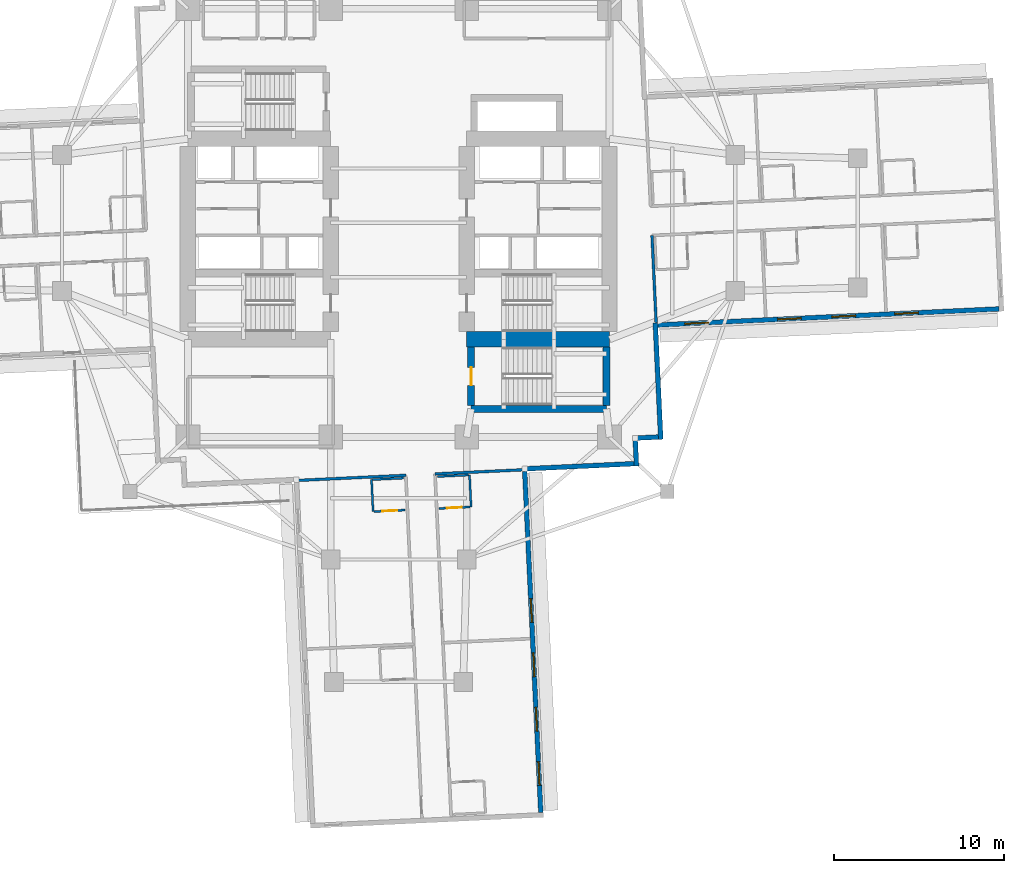
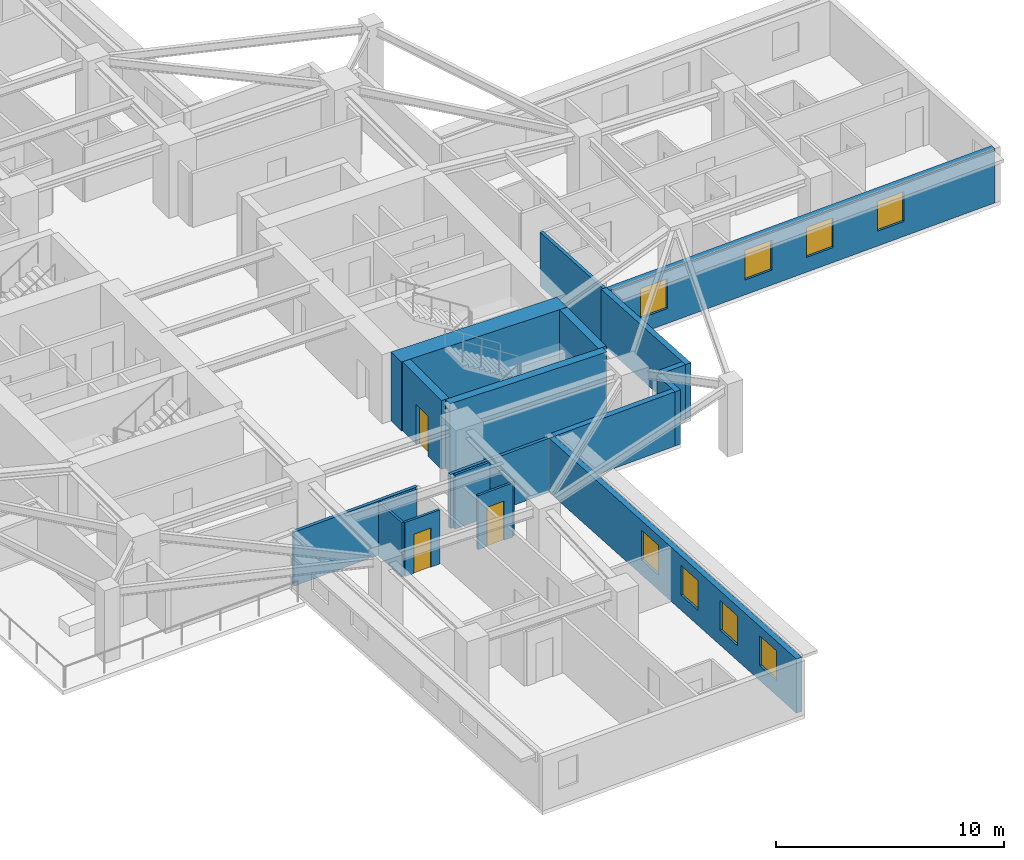
# One storey, part 4 of 14: 19 walls, 8 windows, 3 doors, 11 openings.
"""IFC4 building model written with IfcOpenShell, lengths in metres."""

from ifc_helpers import new_model, si_unit, direction, frame, frame_2d, origin, place, context, subcontext, project, spatial, rectangle, extrude, material, layer, layer_set, type_object, element, fill, save


model = new_model("IFC4")

# Units and contexts
model_context = context("Model", 3, precision=1e-05, world=origin(), true_north=direction((0.0, 1.0)))
body_context = subcontext(model_context, "Body", "Model", "MODEL_VIEW")
ifc_project = project(units=[si_unit("LENGTHUNIT", "METRE"), si_unit("AREAUNIT", "SQUARE_METRE"), si_unit("VOLUMEUNIT", "CUBIC_METRE"), si_unit("PLANEANGLEUNIT", "RADIAN"), si_unit("MASSUNIT", "GRAM", prefix="KILO")], contexts=[model_context])

# Site, building, storey
site_placement = place(None, origin())
site = spatial("IfcSite", under=ifc_project, at=site_placement, CompositionType="ELEMENT")
building_placement = place(site_placement, origin())
building = spatial("IfcBuilding", under=site, at=building_placement, Name="Qingluan Cross Belvedere", CompositionType="ELEMENT")
storey_placement = place(building_placement, frame((0.0, 0.0, 52.199951171875)))
storey = spatial("IfcBuildingStorey", under=building, at=storey_placement, Name="L13", CompositionType="ELEMENT", Elevation=52.199951171875)

# Wall
ifc_material_1 = material(Name="Concrete C50", Category="concrete")
ifc_layer_1 = layer(ifc_material_1, 0.449951171875, Name="CoreShearWall_450")
ifc_layer_set_1 = layer_set([ifc_layer_1], Name="Concrete C50")
wall_type_1 = type_object("IfcWallType", Name="CoreShearWall_450", PredefinedType="SHEAR", material=ifc_layer_set_1)
wall_1_placement = place(storey_placement, frame((4.260009765625, -10.93994140625, 0.0), z_axis=(0.0, 0.0, 1.0), x_axis=(1.0, 0.0, 0.0)))
element("IfcWall", 1, at=wall_1_placement, inside=storey, type_object=wall_type_1, Name="Stair ST4 structural wall S L13", PredefinedType="SHEAR", context=body_context, shape_type="SweptSolid", body=[
    extrude(rectangle(XDim=7.9599609375, YDim=0.39990234375, at=frame_2d((3.97998046875, 0.0))), origin(), (0.0, 0.0, 1.0), 3.699951171875),
])

# Wall, opening, door
wall_2_placement = place(storey_placement, frame((4.260009765625, -10.735107421875, 0.0), z_axis=(0.0, 0.0, 1.0), x_axis=(0.0, 1.0, 0.0)))
wall_2 = element("IfcWall", 2, at=wall_2_placement, inside=storey, type_object=wall_type_1, Name="Stair ST4 structural wall W L13", PredefinedType="SHEAR", context=body_context, shape_type="SweptSolid", body=[
    extrude(rectangle(XDim=3.43017578125, YDim=0.39990234375, at=frame_2d((1.715087890625, 0.0))), origin(), (0.0, 0.0, 1.0), 3.699951171875),
])
opening_1_placement = place(wall_2_placement, frame((1.18505859375, 0.0, 0.0)))
opening_1 = element("IfcOpeningElement", 3, at=opening_1_placement, cuts=wall_2, Name="Opening FD-B11", PredefinedType="OPENING", context=body_context, shape_type="SweptSolid", body=[
    extrude(rectangle(XDim=1.050048828125, YDim=2.14990234375, at=frame_2d((0.52490234375, 1.074951171875))), frame((0.0, 0.2099609375, 0.0), z_axis=(0.0, -1.0, 0.0), x_axis=(1.0, 0.0, 0.0)), (0.0, 0.0, 1.0), 0.419921875),
])
ifc_material_2 = material(Name="Steel Class B smoke-seal fire door", Category="steel")
door_type_1 = type_object("IfcDoorType", Name="StairLobbyFireDoor_FDB", OperationType="NOTDEFINED", PredefinedType="DOOR", material=ifc_material_2)
door_1_placement = place(opening_1_placement, origin())
door_1 = element("IfcDoor", 4, at=door_1_placement, inside=storey, type_object=door_type_1, Name="Smoke-proof stair ST4 fire door L13", OperationType="SINGLE_SWING_LEFT", OverallHeight=2.14990234375, OverallWidth=1.050048828125, PredefinedType="DOOR", context=body_context, shape_type="SweptSolid", body=[
    extrude(rectangle(XDim=1.050048828125, YDim=2.14990234375, at=frame_2d((0.52490234375, 1.074951171875))), frame((0.0, 0.02490234375, 0.0), z_axis=(0.0, -1.0, 0.0), x_axis=(1.0, 0.0, 0.0)), (0.0, 0.0, 1.0), 0.050048828125),
])
fill(opening_1, door_1)

# Walls
wall_3_placement = place(storey_placement, frame((12.219970703125, -10.735107421875, 0.0), z_axis=(0.0, 0.0, 1.0), x_axis=(0.0, 1.0, 0.0)))
element("IfcWall", 5, at=wall_3_placement, inside=storey, type_object=wall_type_1, Name="Stair ST4 structural wall E L13", PredefinedType="SHEAR", context=body_context, shape_type="SweptSolid", body=[
    extrude(rectangle(XDim=3.43017578125, YDim=0.39990234375, at=frame_2d((1.715087890625, 0.0))), origin(), (0.0, 0.0, 1.0), 3.699951171875),
])
ifc_material_3 = material(Name="Concrete C70", Category="concrete")
ifc_layer_2 = layer(ifc_material_3, 0.89990234375, Name="CoreShearWall_900")
ifc_layer_set_2 = layer_set([ifc_layer_2], Name="Concrete C70")
wall_type_2 = type_object("IfcWallType", Name="CoreShearWall_900", PredefinedType="SHEAR", material=ifc_layer_set_2)
wall_4_placement = place(storey_placement, frame((4.0, -6.85009765625, 0.0), z_axis=(0.0, 0.0, 1.0), x_axis=(1.0, 0.0, 0.0)))
element("IfcWall", 6, at=wall_4_placement, inside=storey, type_object=wall_type_2, Name="Split core E shear wall L13-S", PredefinedType="SHEAR", context=body_context, shape_type="SweptSolid", body=[
    extrude(rectangle(XDim=8.39990234375, YDim=0.89990234375, at=frame_2d((4.199951171875, 0.0))), origin(), (0.0, 0.0, 1.0), 3.699951171875),
])
ifc_material_4 = material(Name="Gypsum plasterboard on steel stud acoustic partition", Category="steel")
ifc_layer_3 = layer(ifc_material_4, 0.159912109375, Name="CorridorPartition_160")
ifc_layer_set_3 = layer_set([ifc_layer_3], Name="Gypsum plasterboard on steel stud acoustic partition")
wall_type_3 = type_object("IfcWallType", Name="CorridorPartition_160", PredefinedType="PARTITIONING", material=ifc_layer_set_3)
wall_5_placement = place(storey_placement, frame((14.9013671875, -0.739013671875, 0.0), z_axis=(0.0, 0.0, 1.0), x_axis=(0.047097271264, -0.998890307811, 0.0)))
element("IfcWall", 7, at=wall_5_placement, inside=storey, type_object=wall_type_3, Name="Partition L13:E:s1", PredefinedType="PARTITIONING", context=body_context, shape_type="SweptSolid", body=[
    extrude(rectangle(XDim=5.1318359375, YDim=0.159912109375, at=frame_2d((2.56591796875, 0.0))), origin(), (0.0, 0.0, 1.0), 2.900146484375),
])
wall_6_placement = place(storey_placement, frame((2.137939453125, -14.765625, 0.0), z_axis=(0.0, 0.0, 1.0), x_axis=(0.998891553151, 0.047070851322, 0.0)))
element("IfcWall", 8, at=wall_6_placement, inside=storey, type_object=wall_type_3, Name="Partition L13:S:s0", PredefinedType="PARTITIONING", context=body_context, shape_type="SweptSolid", body=[
    extrude(rectangle(XDim=5.280029296875, YDim=0.159912109375, at=frame_2d((2.64013671875, 0.0))), origin(), (0.0, 0.0, 1.0), 2.900146484375),
])
wall_7_placement = place(storey_placement, frame((0.419921875, -14.8466796875, 0.0), z_axis=(0.0, 0.0, 1.0), x_axis=(-0.998889138652, -0.047122061533, 0.0)))
element("IfcWall", 9, at=wall_7_placement, inside=storey, type_object=wall_type_3, Name="Partition L13:S:s1", PredefinedType="PARTITIONING", context=body_context, shape_type="SweptSolid", body=[
    extrude(rectangle(XDim=6.43994140625, YDim=0.159912109375, at=frame_2d((3.219970703125, 0.0))), origin(), (0.0, 0.0, 1.0), 2.900146484375),
])

# Wall, opening, door
ifc_material_5 = material(Name="Moisture-resistant gypsum board lining")
ifc_layer_4 = layer(ifc_material_5, 0.1201171875, Name="EnsuiteWetPartition_120")
ifc_layer_set_4 = layer_set([ifc_layer_4], Name="Moisture-resistant gypsum board lining")
wall_type_4 = type_object("IfcWallType", Name="EnsuiteWetPartition_120", PredefinedType="PARTITIONING", material=ifc_layer_set_4)
wall_8_placement = place(storey_placement, frame((2.373779296875, -16.796875, 0.0), z_axis=(0.0, 0.0, 1.0), x_axis=(0.998891083954, 0.047080807099, 0.0)))
wall_8 = element("IfcWall", 10, at=wall_8_placement, inside=storey, type_object=wall_type_4, Name="Partition L13:S:bs0_0", PredefinedType="PARTITIONING", context=body_context, shape_type="SweptSolid", body=[
    extrude(rectangle(XDim=1.820068359375, YDim=0.1201171875, at=frame_2d((0.91015625, 0.0))), origin(), (0.0, 0.0, 1.0), 2.900146484375),
])
opening_2_placement = place(wall_8_placement, frame((0.469970703125, 0.0, 0.0)))
opening_2 = element("IfcOpeningElement", 11, at=opening_2_placement, cuts=wall_8, Name="Opening BD-09", PredefinedType="OPENING", context=body_context, shape_type="SweptSolid", body=[
    extrude(rectangle(XDim=0.8798828125, YDim=2.10009765625, at=frame_2d((0.43994140625, 1.050048828125))), frame((0.0, 0.070068359375, 0.0), z_axis=(0.0, -1.0, 0.0), x_axis=(1.0, 0.0, 0.0)), (0.0, 0.0, 1.0), 0.14013671875),
])
ifc_material_6 = material(Name="Moisture-sealed timber en-suite door", Category="wood")
door_type_2 = type_object("IfcDoorType", Name="BathroomDoor_880", OperationType="NOTDEFINED", PredefinedType="DOOR", material=ifc_material_6)
door_2_placement = place(opening_2_placement, origin())
door_2 = element("IfcDoor", 12, at=door_2_placement, inside=storey, type_object=door_type_2, Name="Bathroom door 1317", OperationType="SINGLE_SWING_RIGHT", OverallHeight=2.10009765625, OverallWidth=0.8798828125, PredefinedType="DOOR", context=body_context, shape_type="SweptSolid", body=[
    extrude(rectangle(XDim=0.8798828125, YDim=2.10009765625, at=frame_2d((0.43994140625, 1.050048828125))), frame((0.0, 0.02490234375, 0.0), z_axis=(0.0, -1.0, 0.0), x_axis=(1.0, 0.0, 0.0)), (0.0, 0.0, 1.0), 0.050048828125),
])
fill(opening_2, door_2)

# Walls
wall_9_placement = place(storey_placement, frame((2.285400390625, -14.9189453125, 0.0), z_axis=(0.0, 0.0, 1.0), x_axis=(0.998890786574, 0.047087116047, 0.0)))
element("IfcWall", 13, at=wall_9_placement, inside=storey, type_object=wall_type_4, Name="Partition L13:S:bw0_0", PredefinedType="PARTITIONING", context=body_context, shape_type="SweptSolid", body=[
    extrude(rectangle(XDim=1.81982421875, YDim=0.1201171875, at=frame_2d((0.909912109375, 0.0))), origin(), (0.0, 0.0, 1.0), 2.900146484375),
])
wall_10_placement = place(storey_placement, frame((4.168212890625, -14.830078125, 0.0), z_axis=(0.0, 0.0, 1.0), x_axis=(0.047139425368, -0.998888319371, 0.0)))
element("IfcWall", 14, at=wall_10_placement, inside=storey, type_object=wall_type_4, Name="Partition L13:S:bn0_0", PredefinedType="PARTITIONING", context=body_context, shape_type="SweptSolid", body=[
    extrude(rectangle(XDim=1.880126953125, YDim=0.1201171875, at=frame_2d((0.93994140625, 0.0))), origin(), (0.0, 0.0, 1.0), 2.900146484375),
])

# Wall, opening, door
wall_11_placement = place(storey_placement, frame((-1.44189453125, -16.976806640625, 0.0), z_axis=(0.0, 0.0, 1.0), x_axis=(0.998891083954, 0.047080807099, 0.0)))
wall_11 = element("IfcWall", 15, at=wall_11_placement, inside=storey, type_object=wall_type_4, Name="Partition L13:S:bs1_0", PredefinedType="PARTITIONING", context=body_context, shape_type="SweptSolid", body=[
    extrude(rectangle(XDim=1.820068359375, YDim=0.1201171875, at=frame_2d((0.91015625, 0.0))), origin(), (0.0, 0.0, 1.0), 2.900146484375),
])
opening_3_placement = place(wall_11_placement, frame((0.469970703125, 0.0, 0.0)))
opening_3 = element("IfcOpeningElement", 16, at=opening_3_placement, cuts=wall_11, Name="Opening BD-09", PredefinedType="OPENING", context=body_context, shape_type="SweptSolid", body=[
    extrude(rectangle(XDim=0.8798828125, YDim=2.10009765625, at=frame_2d((0.43994140625, 1.050048828125))), frame((0.0, 0.070068359375, 0.0), z_axis=(0.0, -1.0, 0.0), x_axis=(1.0, 0.0, 0.0)), (0.0, 0.0, 1.0), 0.14013671875),
])
door_3_placement = place(opening_3_placement, origin())
door_3 = element("IfcDoor", 17, at=door_3_placement, inside=storey, type_object=door_type_2, Name="Bathroom door 1319", OperationType="SINGLE_SWING_RIGHT", OverallHeight=2.10009765625, OverallWidth=0.8798828125, PredefinedType="DOOR", context=body_context, shape_type="SweptSolid", body=[
    extrude(rectangle(XDim=0.8798828125, YDim=2.10009765625, at=frame_2d((0.43994140625, 1.050048828125))), frame((0.0, 0.02490234375, 0.0), z_axis=(0.0, -1.0, 0.0), x_axis=(1.0, 0.0, 0.0)), (0.0, 0.0, 1.0), 0.050048828125),
])
fill(opening_3, door_3)

# Walls
wall_12_placement = place(storey_placement, frame((-1.530517578125, -15.098876953125, 0.0), z_axis=(0.0, 0.0, 1.0), x_axis=(0.998891083954, 0.047080807099, 0.0)))
element("IfcWall", 18, at=wall_12_placement, inside=storey, type_object=wall_type_4, Name="Partition L13:S:bw1_0", PredefinedType="PARTITIONING", context=body_context, shape_type="SweptSolid", body=[
    extrude(rectangle(XDim=1.820068359375, YDim=0.1201171875, at=frame_2d((0.91015625, 0.0))), origin(), (0.0, 0.0, 1.0), 2.900146484375),
])
wall_13_placement = place(storey_placement, frame((-1.595458984375, -15.101806640625, 0.0), z_axis=(0.0, 0.0, 1.0), x_axis=(0.047139425368, -0.998888319371, 0.0)))
element("IfcWall", 19, at=wall_13_placement, inside=storey, type_object=wall_type_4, Name="Partition L13:S:bc1_0", PredefinedType="PARTITIONING", context=body_context, shape_type="SweptSolid", body=[
    extrude(rectangle(XDim=1.880126953125, YDim=0.1201171875, at=frame_2d((0.93994140625, 0.0))), origin(), (0.0, 0.0, 1.0), 2.900146484375),
])

# Wall, openings, windows
ifc_material_7 = material(Name="Precast concrete C45", Category="concrete")
ifc_layer_5 = layer(ifc_material_7, 0.280029296875, Name="PrecastFacadeWall_280")
ifc_layer_set_5 = layer_set([ifc_layer_5], Name="Precast concrete C45")
wall_type_5 = type_object("IfcWallType", Name="PrecastFacadeWall_280", PredefinedType="STANDARD", material=ifc_layer_set_5)
wall_14_placement = place(storey_placement, frame((15.239990234375, -6.0087890625, 0.0), z_axis=(0.0, 0.0, 1.0), x_axis=(0.998890015344, 0.047103473814, 0.0)))
wall_14 = element("IfcWall", 20, at=wall_14_placement, inside=storey, type_object=wall_type_5, Name="Facade wall L13-EA", PredefinedType="STANDARD", context=body_context, shape_type="SweptSolid", body=[
    extrude(rectangle(XDim=20.099853515625, YDim=0.280029296875, at=frame_2d((10.0498046875, 0.0))), origin(), (0.0, 0.0, 1.0), 2.91015625),
])
opening_4_placement = place(wall_14_placement, frame((1.60009765625, 0.0, 0.800048828125)))
opening_4 = element("IfcOpeningElement", 21, at=opening_4_placement, cuts=wall_14, Name="Opening W-01", PredefinedType="OPENING", context=body_context, shape_type="SweptSolid", body=[
    extrude(rectangle(XDim=1.39990234375, YDim=1.60009765625, at=frame_2d((0.699951171875, 0.800048828125))), frame((0.0, 0.14990234375, 0.0), z_axis=(0.0, -1.0, 0.0), x_axis=(1.0, 0.0, 0.0)), (0.0, 0.0, 1.0), 0.300048828125),
])
opening_5_placement = place(wall_14_placement, frame((7.050048828125, 0.0, 0.800048828125)))
opening_5 = element("IfcOpeningElement", 22, at=opening_5_placement, cuts=wall_14, Name="Opening W-01", PredefinedType="OPENING", context=body_context, shape_type="SweptSolid", body=[
    extrude(rectangle(XDim=1.39990234375, YDim=1.60009765625, at=frame_2d((0.699951171875, 0.800048828125))), frame((0.0, 0.14990234375, 0.0), z_axis=(0.0, -1.0, 0.0), x_axis=(1.0, 0.0, 0.0)), (0.0, 0.0, 1.0), 0.300048828125),
])
opening_6_placement = place(wall_14_placement, frame((10.25, 0.0, 0.800048828125)))
opening_6 = element("IfcOpeningElement", 23, at=opening_6_placement, cuts=wall_14, Name="Opening W-01", PredefinedType="OPENING", context=body_context, shape_type="SweptSolid", body=[
    extrude(rectangle(XDim=1.39990234375, YDim=1.60009765625, at=frame_2d((0.699951171875, 0.800048828125))), frame((0.0, 0.14990234375, 0.0), z_axis=(0.0, -1.0, 0.0), x_axis=(1.0, 0.0, 0.0)), (0.0, 0.0, 1.0), 0.300048828125),
])
opening_7_placement = place(wall_14_placement, frame((13.949951171875, 0.0, 0.800048828125)))
opening_7 = element("IfcOpeningElement", 24, at=opening_7_placement, cuts=wall_14, Name="Opening W-01", PredefinedType="OPENING", context=body_context, shape_type="SweptSolid", body=[
    extrude(rectangle(XDim=1.39990234375, YDim=1.60009765625, at=frame_2d((0.699951171875, 0.800048828125))), frame((0.0, 0.14990234375, 0.0), z_axis=(0.0, -1.0, 0.0), x_axis=(1.0, 0.0, 0.0)), (0.0, 0.0, 1.0), 0.300048828125),
])
ifc_material_8 = material(Name="Thermally broken triple Low-E glass in aluminium frame", Category="aluminium")
window_type = type_object("IfcWindowType", Name="TriRibbonWin_1400x1600", PartitioningType="SINGLE_PANEL", PredefinedType="WINDOW", material=ifc_material_8)
window_1_placement = place(opening_4_placement, origin())
window_1 = element("IfcWindow", 25, at=window_1_placement, inside=storey, type_object=window_type, Name="Ribbon window L13-EA-1", OverallHeight=1.60009765625, OverallWidth=1.39990234375, PartitioningType="SINGLE_PANEL", PredefinedType="WINDOW", context=body_context, shape_type="SweptSolid", body=[
    extrude(rectangle(XDim=1.39990234375, YDim=1.60009765625, at=frame_2d((0.699951171875, 0.800048828125))), frame((0.0, 0.030029296875, 0.0), z_axis=(0.0, -1.0, 0.0), x_axis=(1.0, 0.0, 0.0)), (0.0, 0.0, 1.0), 0.06005859375),
])
fill(opening_4, window_1)
window_2_placement = place(opening_5_placement, origin())
window_2 = element("IfcWindow", 26, at=window_2_placement, inside=storey, type_object=window_type, Name="Ribbon window L13-EA-2", OverallHeight=1.60009765625, OverallWidth=1.39990234375, PartitioningType="SINGLE_PANEL", PredefinedType="WINDOW", context=body_context, shape_type="SweptSolid", body=[
    extrude(rectangle(XDim=1.39990234375, YDim=1.60009765625, at=frame_2d((0.699951171875, 0.800048828125))), frame((0.0, 0.030029296875, 0.0), z_axis=(0.0, -1.0, 0.0), x_axis=(1.0, 0.0, 0.0)), (0.0, 0.0, 1.0), 0.06005859375),
])
fill(opening_5, window_2)
window_3_placement = place(opening_6_placement, origin())
window_3 = element("IfcWindow", 27, at=window_3_placement, inside=storey, type_object=window_type, Name="Ribbon window L13-EA-3", OverallHeight=1.60009765625, OverallWidth=1.39990234375, PartitioningType="SINGLE_PANEL", PredefinedType="WINDOW", context=body_context, shape_type="SweptSolid", body=[
    extrude(rectangle(XDim=1.39990234375, YDim=1.60009765625, at=frame_2d((0.699951171875, 0.800048828125))), frame((0.0, 0.030029296875, 0.0), z_axis=(0.0, -1.0, 0.0), x_axis=(1.0, 0.0, 0.0)), (0.0, 0.0, 1.0), 0.06005859375),
])
fill(opening_6, window_3)
window_4_placement = place(opening_7_placement, origin())
window_4 = element("IfcWindow", 28, at=window_4_placement, inside=storey, type_object=window_type, Name="Ribbon window L13-EA-4", OverallHeight=1.60009765625, OverallWidth=1.39990234375, PartitioningType="SINGLE_PANEL", PredefinedType="WINDOW", context=body_context, shape_type="SweptSolid", body=[
    extrude(rectangle(XDim=1.39990234375, YDim=1.60009765625, at=frame_2d((0.699951171875, 0.800048828125))), frame((0.0, 0.030029296875, 0.0), z_axis=(0.0, -1.0, 0.0), x_axis=(1.0, 0.0, 0.0)), (0.0, 0.0, 1.0), 0.06005859375),
])
fill(opening_7, window_4)

wall_15_placement = place(storey_placement, frame((8.363037109375, -34.6845703125, 0.0), z_axis=(0.0, 0.0, 1.0), x_axis=(-0.047103473814, 0.998890015344, 0.0)))
wall_15 = element("IfcWall", 29, at=wall_15_placement, inside=storey, type_object=wall_type_5, Name="Facade wall L13-SB", PredefinedType="STANDARD", context=body_context, shape_type="SweptSolid", body=[
    extrude(rectangle(XDim=20.099853515625, YDim=0.280029296875, at=frame_2d((10.0498046875, 0.0))), origin(), (0.0, 0.0, 1.0), 2.91015625),
])
opening_8_placement = place(wall_15_placement, frame((1.60009765625, 0.0, 0.800048828125)))
opening_8 = element("IfcOpeningElement", 30, at=opening_8_placement, cuts=wall_15, Name="Opening W-01", PredefinedType="OPENING", context=body_context, shape_type="SweptSolid", body=[
    extrude(rectangle(XDim=1.39990234375, YDim=1.60009765625, at=frame_2d((0.699951171875, 0.800048828125))), frame((0.0, 0.14990234375, 0.0), z_axis=(0.0, -1.0, 0.0), x_axis=(1.0, 0.0, 0.0)), (0.0, 0.0, 1.0), 0.300048828125),
])
opening_9_placement = place(wall_15_placement, frame((4.800048828125, 0.0, 0.800048828125)))
opening_9 = element("IfcOpeningElement", 31, at=opening_9_placement, cuts=wall_15, Name="Opening W-01", PredefinedType="OPENING", context=body_context, shape_type="SweptSolid", body=[
    extrude(rectangle(XDim=1.39990234375, YDim=1.60009765625, at=frame_2d((0.699951171875, 0.800048828125))), frame((0.0, 0.14990234375, 0.0), z_axis=(0.0, -1.0, 0.0), x_axis=(1.0, 0.0, 0.0)), (0.0, 0.0, 1.0), 0.300048828125),
])
opening_10_placement = place(wall_15_placement, frame((8.0, 0.0, 0.800048828125)))
opening_10 = element("IfcOpeningElement", 32, at=opening_10_placement, cuts=wall_15, Name="Opening W-01", PredefinedType="OPENING", context=body_context, shape_type="SweptSolid", body=[
    extrude(rectangle(XDim=1.39990234375, YDim=1.60009765625, at=frame_2d((0.699951171875, 0.800048828125))), frame((0.0, 0.14990234375, 0.0), z_axis=(0.0, -1.0, 0.0), x_axis=(1.0, 0.0, 0.0)), (0.0, 0.0, 1.0), 0.300048828125),
])
opening_11_placement = place(wall_15_placement, frame((11.199951171875, 0.0, 0.800048828125)))
opening_11 = element("IfcOpeningElement", 33, at=opening_11_placement, cuts=wall_15, Name="Opening W-01", PredefinedType="OPENING", context=body_context, shape_type="SweptSolid", body=[
    extrude(rectangle(XDim=1.39990234375, YDim=1.60009765625, at=frame_2d((0.699951171875, 0.800048828125))), frame((0.0, 0.14990234375, 0.0), z_axis=(0.0, -1.0, 0.0), x_axis=(1.0, 0.0, 0.0)), (0.0, 0.0, 1.0), 0.300048828125),
])
window_5_placement = place(opening_8_placement, origin())
window_5 = element("IfcWindow", 34, at=window_5_placement, inside=storey, type_object=window_type, Name="Ribbon window L13-SB-1", OverallHeight=1.60009765625, OverallWidth=1.39990234375, PartitioningType="SINGLE_PANEL", PredefinedType="WINDOW", context=body_context, shape_type="SweptSolid", body=[
    extrude(rectangle(XDim=1.39990234375, YDim=1.60009765625, at=frame_2d((0.699951171875, 0.800048828125))), frame((0.0, 0.030029296875, 0.0), z_axis=(0.0, -1.0, 0.0), x_axis=(1.0, 0.0, 0.0)), (0.0, 0.0, 1.0), 0.06005859375),
])
fill(opening_8, window_5)
window_6_placement = place(opening_9_placement, origin())
window_6 = element("IfcWindow", 35, at=window_6_placement, inside=storey, type_object=window_type, Name="Ribbon window L13-SB-2", OverallHeight=1.60009765625, OverallWidth=1.39990234375, PartitioningType="SINGLE_PANEL", PredefinedType="WINDOW", context=body_context, shape_type="SweptSolid", body=[
    extrude(rectangle(XDim=1.39990234375, YDim=1.60009765625, at=frame_2d((0.699951171875, 0.800048828125))), frame((0.0, 0.030029296875, 0.0), z_axis=(0.0, -1.0, 0.0), x_axis=(1.0, 0.0, 0.0)), (0.0, 0.0, 1.0), 0.06005859375),
])
fill(opening_9, window_6)
window_7_placement = place(opening_10_placement, origin())
window_7 = element("IfcWindow", 36, at=window_7_placement, inside=storey, type_object=window_type, Name="Ribbon window L13-SB-3", OverallHeight=1.60009765625, OverallWidth=1.39990234375, PartitioningType="SINGLE_PANEL", PredefinedType="WINDOW", context=body_context, shape_type="SweptSolid", body=[
    extrude(rectangle(XDim=1.39990234375, YDim=1.60009765625, at=frame_2d((0.699951171875, 0.800048828125))), frame((0.0, 0.030029296875, 0.0), z_axis=(0.0, -1.0, 0.0), x_axis=(1.0, 0.0, 0.0)), (0.0, 0.0, 1.0), 0.06005859375),
])
fill(opening_10, window_7)
window_8_placement = place(opening_11_placement, origin())
window_8 = element("IfcWindow", 37, at=window_8_placement, inside=storey, type_object=window_type, Name="Ribbon window L13-SB-4", OverallHeight=1.60009765625, OverallWidth=1.39990234375, PartitioningType="SINGLE_PANEL", PredefinedType="WINDOW", context=body_context, shape_type="SweptSolid", body=[
    extrude(rectangle(XDim=1.39990234375, YDim=1.60009765625, at=frame_2d((0.699951171875, 0.800048828125))), frame((0.0, 0.030029296875, 0.0), z_axis=(0.0, -1.0, 0.0), x_axis=(1.0, 0.0, 0.0)), (0.0, 0.0, 1.0), 0.06005859375),
])
fill(opening_11, window_8)

# Walls
wall_16_placement = place(storey_placement, frame((15.093505859375, -5.87548828125, 0.0), z_axis=(0.0, 0.0, 1.0), x_axis=(0.04712043756, -0.998889215261, 0.0)))
element("IfcWall", 38, at=wall_16_placement, inside=storey, type_object=wall_type_5, Name="Corner wall L13-SE1", PredefinedType="STANDARD", context=body_context, shape_type="SweptSolid", body=[
    extrude(rectangle(XDim=6.85986328125, YDim=0.280029296875, at=frame_2d((3.429931640625, 0.0))), origin(), (0.0, 0.0, 1.0), 2.91015625),
])
wall_17_placement = place(storey_placement, frame((15.270263671875, -12.5947265625, 0.0), z_axis=(0.0, 0.0, 1.0), x_axis=(-0.998893795343, -0.047023245574, 0.0)))
element("IfcWall", 39, at=wall_17_placement, inside=storey, type_object=wall_type_5, Name="Corner wall L13-SE2", PredefinedType="STANDARD", context=body_context, shape_type="SweptSolid", body=[
    extrude(rectangle(XDim=1.22021484375, YDim=0.280029296875, at=frame_2d((0.610107421875, 0.0))), origin(), (0.0, 0.0, 1.0), 2.91015625),
])
wall_18_placement = place(storey_placement, frame((13.918212890625, -12.798583984375, 0.0), z_axis=(0.0, 0.0, 1.0), x_axis=(0.047201688113, -0.99888537913, 0.0)))
element("IfcWall", 40, at=wall_18_placement, inside=storey, type_object=wall_type_5, Name="Corner wall L13-SE3", PredefinedType="STANDARD", context=body_context, shape_type="SweptSolid", body=[
    extrude(rectangle(XDim=1.5, YDim=0.280029296875, at=frame_2d((0.75, 0.0))), origin(), (0.0, 0.0, 1.0), 2.91015625),
])
wall_19_placement = place(storey_placement, frame((13.842529296875, -14.16357421875, 0.0), z_axis=(0.0, 0.0, 1.0), x_axis=(-0.998889082162, -0.047123258997, 0.0)))
element("IfcWall", 41, at=wall_19_placement, inside=storey, type_object=wall_type_5, Name="Corner wall L13-SE4", PredefinedType="STANDARD", context=body_context, shape_type="SweptSolid", body=[
    extrude(rectangle(XDim=6.300048828125, YDim=0.280029296875, at=frame_2d((3.14990234375, 0.0))), origin(), (0.0, 0.0, 1.0), 2.91015625),
])

save(model, "model.ifc")
